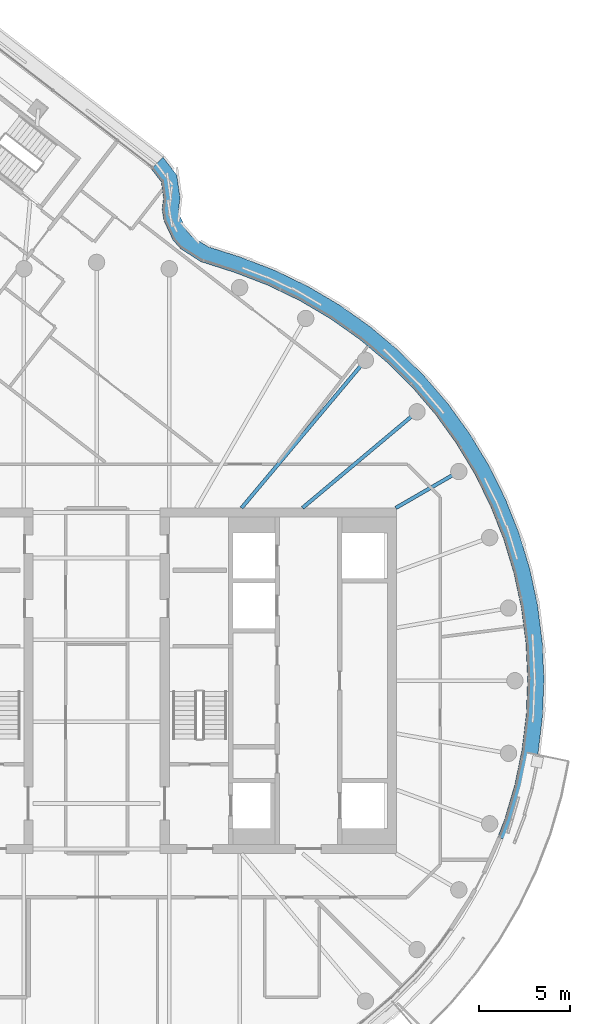
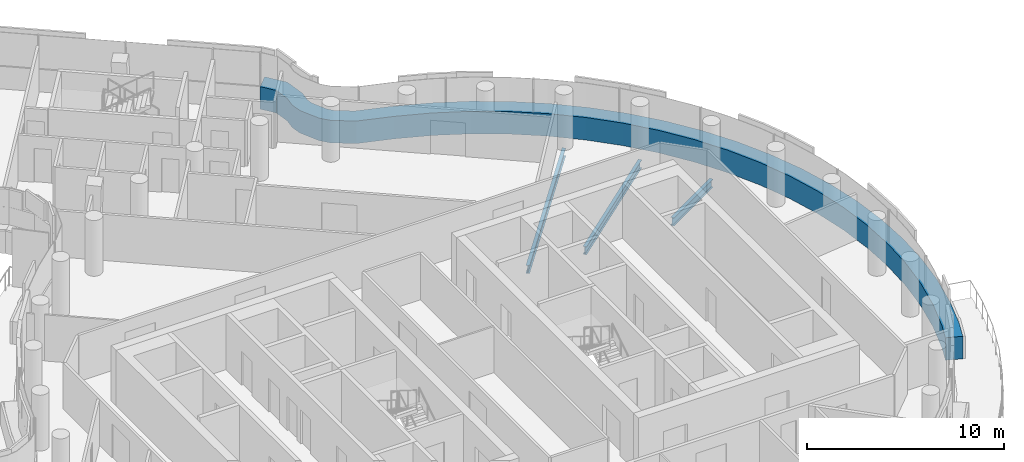
# One storey, part 12 of 26: 3 beams, 1 member, 1 element without a shape of its own.
"""IFC4 building model written with IfcOpenShell, lengths in metres."""

import ifcopenshell
import ifcopenshell.guid

model = None  # the IFC model being written
_history = None  # IfcOwnerHistory: only IFC2X3 demands one
_inside = {}  # id of a spatial element -> (the spatial element, [elements in it])
_under = {}  # id of a project, library or spatial element -> (it, [spatial elements below it])
_declared = {}  # id of a project -> (the project, [libraries it declares])
_typed = {}  # id of a type object -> (the type object, [elements of that type])
_made_of = {}  # id of a material, layer set ... -> (it, [elements and type objects made of it])


def new_model(schema):
    """Start an empty IFC model of exactly this schema.

    Asked for "IFC4X3", IfcOpenShell would pick the latest addendum, in which some entities
    have other attributes; the version numbers below select the first issue.
    IFC2X3 requires an IfcOwnerHistory on every rooted entity: one is made here for all.
    """
    global model, _history
    if schema == "IFC4X3":
        model = ifcopenshell.file(schema_version=(4, 3, 0, 0))
    else:
        model = ifcopenshell.file(schema=schema)
    _inside.clear()
    _under.clear()
    _declared.clear()
    _typed.clear()
    _made_of.clear()
    _history = None
    if model.schema == "IFC2X3":
        org = make("IfcOrganization", Name="unknown")
        user = make(
            "IfcPersonAndOrganization",
            ThePerson=make("IfcPerson", FamilyName="unknown"),
            TheOrganization=org,
        )
        app = make(
            "IfcApplication",
            ApplicationDeveloper=org,
            Version="unknown",
            ApplicationFullName="unknown",
            ApplicationIdentifier="unknown",
        )
        _history = make(
            "IfcOwnerHistory",
            OwningUser=user,
            OwningApplication=app,
            ChangeAction="ADDED",
            CreationDate=0,
        )
    return model


def make(cls, **values):
    """One entity of the class cls with the attributes given. An attribute that is None is left unset."""
    return model.create_entity(
        cls, **{name: value for name, value in values.items() if value is not None}
    )


def rooted(cls, **values):
    """An entity with a GlobalId (a new one), such as an element, a storey or a relation."""
    return make(cls, GlobalId=ifcopenshell.guid.new(), OwnerHistory=_history, **values)


def si_unit(unit_type, name, prefix=None):
    """IfcSIUnit, for example si_unit("LENGTHUNIT", "METRE", prefix="MILLI")."""
    return make("IfcSIUnit", UnitType=unit_type, Prefix=prefix, Name=name)


def assignment(units):
    """IfcUnitAssignment: the units of a project."""
    return None if units is None else make("IfcUnitAssignment", Units=units)


def point(xyz):
    """IfcCartesianPoint."""
    return None if xyz is None else make("IfcCartesianPoint", Coordinates=xyz)


def direction(xyz):
    """IfcDirection."""
    return None if xyz is None else make("IfcDirection", DirectionRatios=xyz)


def frame(location, z_axis=None, x_axis=None):
    """IfcAxis2Placement3D, a coordinate frame: its origin and axes. An axis left out is left unset."""
    return make(
        "IfcAxis2Placement3D",
        Location=point(location),
        Axis=direction(z_axis),
        RefDirection=direction(x_axis),
    )


def frame_2d(location, x_axis=None):
    """IfcAxis2Placement2D, a coordinate frame in the plane: its origin and x axis."""
    return make(
        "IfcAxis2Placement2D", Location=point(location), RefDirection=direction(x_axis)
    )


def origin():
    """The frame at (0, 0, 0) with its axes left unset."""
    return frame((0.0, 0.0, 0.0))


def origin_2d():
    """The frame at (0, 0) in the plane with its x axis left unset."""
    return frame_2d((0.0, 0.0))


def place(relative_to, where):
    """IfcLocalPlacement: puts the frame where relative to a parent placement (None: the world)."""
    return make(
        "IfcLocalPlacement", PlacementRelTo=relative_to, RelativePlacement=where
    )


def context(
    kind, dimensions, precision=None, world=None, true_north=None, identifier=None
):
    """IfcGeometricRepresentationContext, for example the 3D "Model" context."""
    return make(
        "IfcGeometricRepresentationContext",
        ContextIdentifier=identifier,
        ContextType=kind,
        CoordinateSpaceDimension=dimensions,
        Precision=precision,
        WorldCoordinateSystem=world,
        TrueNorth=true_north,
    )


def subcontext(parent, identifier, kind, view, scale=None):
    """IfcGeometricRepresentationSubContext, for example "Body" below "Model"."""
    return make(
        "IfcGeometricRepresentationSubContext",
        ContextIdentifier=identifier,
        ContextType=kind,
        ParentContext=parent,
        TargetScale=scale,
        TargetView=view,
    )


def project(units=None, contexts=None):
    """IfcProject with its units and contexts."""
    return rooted(
        "IfcProject",
        Name="project",
        RepresentationContexts=contexts,
        UnitsInContext=assignment(units),
    )


def spatial(cls, under=None, at=None, **own):
    """A site, building, storey or space (cls), placed at a placement, below another one or the project."""
    s = rooted(cls, ObjectPlacement=at, **own)
    if under is not None:
        _under.setdefault(under.id(), (under, []))[1].append(s)
    return s


def polyline(points):
    """IfcPolyline through the points."""
    return make("IfcPolyline", Points=[point(p) for p in points])


def profile(cls, at=None, kind="AREA", **sizes):
    """A parametric profile (cls). Its sizes go by their IFC names, for example OverallWidth=200.0."""
    return make(cls, ProfileType=kind, Position=at, **sizes)


def i_section(**sizes):
    """IfcIShapeProfileDef."""
    return profile("IfcIShapeProfileDef", **sizes)


def outline(outer, holes=None, kind="AREA"):
    """IfcArbitraryClosedProfileDef: a profile drawn as a closed curve; with holes, ...WithVoids."""
    if holes is None:
        return make("IfcArbitraryClosedProfileDef", ProfileType=kind, OuterCurve=outer)
    return make(
        "IfcArbitraryProfileDefWithVoids",
        ProfileType=kind,
        OuterCurve=outer,
        InnerCurves=holes,
    )


def extrude(swept, where, along, depth):
    """IfcExtrudedAreaSolid: the profile swept, set in the frame where, extruded along a direction by depth."""
    return make(
        "IfcExtrudedAreaSolid",
        SweptArea=swept,
        Position=where,
        ExtrudedDirection=direction(along),
        Depth=depth,
    )


def shape(context_of_items, identifier, shape_type, items):
    """IfcShapeRepresentation: the items that make up one representation, for example the "Body"."""
    return make(
        "IfcShapeRepresentation",
        ContextOfItems=context_of_items,
        RepresentationIdentifier=identifier,
        RepresentationType=shape_type,
        Items=items,
    )


def material(Name=None, Category=None):
    """IfcMaterial."""
    return make("IfcMaterial", Name=Name, Category=Category)


def layer(
    of_material, thickness, ventilated=None, Name=None, Category=None, Priority=None
):
    """IfcMaterialLayer: one layer of a wall or slab, of a material (None: an air gap)."""
    return make(
        "IfcMaterialLayer",
        Material=of_material,
        LayerThickness=thickness,
        IsVentilated=ventilated,
        Name=Name,
        Category=Category,
        Priority=Priority,
    )


def layer_set(layers, Name=None):
    """IfcMaterialLayerSet."""
    return make("IfcMaterialLayerSet", MaterialLayers=layers, LayerSetName=Name)


def material_profile(
    of_material, cross_section, Name=None, Category=None, Priority=None
):
    """IfcMaterialProfile: a cross section and its material."""
    return make(
        "IfcMaterialProfile",
        Name=Name,
        Material=of_material,
        Profile=cross_section,
        Priority=Priority,
        Category=Category,
    )


def profile_set(profiles, Name=None, composite=None):
    """IfcMaterialProfileSet."""
    return make(
        "IfcMaterialProfileSet",
        Name=Name,
        MaterialProfiles=profiles,
        CompositeProfile=composite,
    )


def made_of(thing, what):
    """Note that an element or type object is made of a material, layer set ...; save() writes the relation."""
    if what is not None:
        _made_of.setdefault(what.id(), (what, []))[1].append(thing)
    return thing


def type_object(cls, material=None, **own):
    """A type object (cls), such as IfcWallType, which elements share."""
    return made_of(rooted(cls, **own), material)


def element(
    cls,
    number,
    at=None,
    inside=None,
    cuts=None,
    type_object=None,
    material=None,
    context=None,
    identifier="Body",
    shape_type=None,
    held_by="IfcProductDefinitionShape",
    body=None,
    shapes=None,
    **own,
):
    """One element of the class cls, such as IfcWall. Its Tag is "e" and its number.

    at: its placement. inside: the storey or other place that contains it. cuts: it is an
    opening in that element (IfcRelVoidsElement). A single representation is given by context,
    identifier, shape_type and body (its items); several are given by shapes. held_by: the class
    of the entity that holds the representations. save() writes the other relations.
    """
    e = rooted(cls, Tag="e%d" % number, ObjectPlacement=at, **own)
    if body is not None:
        shapes = [shape(context, identifier, shape_type, body)]
    if shapes is not None:
        e.Representation = make(held_by, Representations=shapes)
    if inside is not None:
        _inside.setdefault(inside.id(), (inside, []))[1].append(e)
    if cuts is not None:
        rooted(
            "IfcRelVoidsElement", RelatingBuildingElement=cuts, RelatedOpeningElement=e
        )
    if type_object is not None:
        _typed.setdefault(type_object.id(), (type_object, []))[1].append(e)
    return made_of(e, material)


def aggregate(whole, parts):
    """IfcRelAggregates: a whole, such as a stair, and the parts it consists of."""
    return rooted("IfcRelAggregates", RelatingObject=whole, RelatedObjects=parts)


def save(model, path):
    """Write the relations noted so far, then the file.

    IfcRelAggregates (storeys below a building ...), IfcRelContainedInSpatialStructure (elements
    in a storey), IfcRelDefinesByType, IfcRelAssociatesMaterial and IfcRelDeclares: one each for
    every whole, place, type object, material and project.
    """
    for whole, parts in _under.values():
        aggregate(whole, parts)
    for where, things in _inside.values():
        rooted(
            "IfcRelContainedInSpatialStructure",
            RelatedElements=things,
            RelatingStructure=where,
        )
    for kind, things in _typed.values():
        rooted("IfcRelDefinesByType", RelatedObjects=things, RelatingType=kind)
    for what, things in _made_of.values():
        rooted("IfcRelAssociatesMaterial", RelatedObjects=things, RelatingMaterial=what)
    for by, libraries in _declared.values():
        rooted("IfcRelDeclares", RelatingContext=by, RelatedDefinitions=libraries)
    model.write(path)


model = new_model("IFC4")

# Units and contexts
model_context = context("Model", 3, precision=1e-05, world=origin(), true_north=direction((0.0, 1.0)))
body_context = subcontext(model_context, "Body", "Model", "MODEL_VIEW")
ifc_project = project(units=[si_unit("LENGTHUNIT", "METRE"), si_unit("AREAUNIT", "SQUARE_METRE"), si_unit("VOLUMEUNIT", "CUBIC_METRE"), si_unit("PLANEANGLEUNIT", "RADIAN"), si_unit("MASSUNIT", "GRAM", prefix="KILO")], contexts=[model_context])

# Site, building, storey
site_placement = place(None, origin())
site = spatial("IfcSite", under=ifc_project, at=site_placement, CompositionType="ELEMENT")
building_placement = place(site_placement, origin())
building = spatial("IfcBuilding", under=site, at=building_placement, Name="Tamarind Cross Interchange Tower", CompositionType="ELEMENT")
storey_placement = place(building_placement, frame((0.0, 0.0, 223.5)))
storey = spatial("IfcBuildingStorey", under=building, at=storey_placement, Name="L56", CompositionType="ELEMENT", Elevation=223.5)

# Beams
ifc_material_1 = material(Name="Steel Q355B", Category="steel")
ifc_material_profile = material_profile(ifc_material_1, i_section(OverallWidth=0.198974609375, OverallDepth=0.49609375, WebThickness=0.009033203125, FlangeThickness=0.013916015625, FilletRadius=0.012939453125, at=origin_2d()), Name="HN 496x199x9x14")
ifc_profile_set = profile_set([ifc_material_profile], Name="Steel Q355B")
beam_type = type_object("IfcBeamType", Name="Composite beam HN 496x199x9x14 Q355B", PredefinedType="BEAM", material=ifc_profile_set)
beam_1_placement = place(storey_placement, frame((19.918701171875, 11.5, -0.387939453125), z_axis=(-0.866026010844, -0.49999894854, 0.0), x_axis=(0.49999894854, -0.866026010844, 0.0)))
element("IfcBeam", 1, at=beam_1_placement, inside=storey, type_object=beam_type, Name="Beam HH03", PredefinedType="BEAM", context=body_context, shape_type="SweptSolid", body=[
    extrude(i_section(OverallWidth=0.198974609375, OverallDepth=0.49609375, WebThickness=0.009033203125, FlangeThickness=0.013916015625, FilletRadius=0.012939453125, at=origin_2d()), origin(), (0.0, 0.0, 1.0), 4.0),
])
beam_2_placement = place(storey_placement, frame((17.619140625, 14.7841796875, -0.387939453125), z_axis=(-0.766040580814, -0.642792212574, 0.0), x_axis=(0.642792212574, -0.766040580814, 0.0)))
element("IfcBeam", 2, at=beam_2_placement, inside=storey, type_object=beam_type, Name="Beam HH04", PredefinedType="BEAM", context=body_context, shape_type="SweptSolid", body=[
    extrude(i_section(OverallWidth=0.198974609375, OverallDepth=0.49609375, WebThickness=0.009033203125, FlangeThickness=0.013916015625, FilletRadius=0.012939453125, at=origin_2d()), origin(), (0.0, 0.0, 1.0), 8.220703125),
])
beam_3_placement = place(storey_placement, frame((14.7841796875, 17.619140625, -0.387939453125), z_axis=(-0.642786293979, -0.766045547127, 0.0), x_axis=(0.766045547127, -0.642786293979, 0.0)))
element("IfcBeam", 3, at=beam_3_placement, inside=storey, type_object=beam_type, Name="Beam HH05", PredefinedType="BEAM", context=body_context, shape_type="SweptSolid", body=[
    extrude(i_section(OverallWidth=0.198974609375, OverallDepth=0.49609375, WebThickness=0.009033203125, FlangeThickness=0.013916015625, FilletRadius=0.012939453125, at=origin_2d()), origin(), (0.0, 0.0, 1.0), 10.598876953125),
])

# Curtain wall, member
ifc_material_2 = material(Name="Aluminium 6063-T6", Category="aluminium")
ifc_layer = layer(ifc_material_2, 0.139892578125)
ifc_layer_set = layer_set([ifc_layer], Name="Aluminium 6063-T6")
curtain_wall_type = type_object("IfcCurtainWallType", Name="Hotel curtain wall, 4.5 m bays", PredefinedType="NOTDEFINED", material=ifc_layer_set)
curtain_wall_placement = place(storey_placement, origin())
curtain_wall = element("IfcCurtainWall", 4, at=curtain_wall_placement, inside=storey, type_object=curtain_wall_type, Name="CWS-L56-02", PredefinedType="NOTDEFINED")
ifc_material_3 = material(Name="Aluminium and insulated spandrel panel", Category="aluminium")
member_type = type_object("IfcMemberType", Name="Floor-edge blade transom", PredefinedType="USERDEFINED", material=ifc_material_3)
member_placement = place(storey_placement, origin())
member = element("IfcMember", 5, at=member_placement, type_object=member_type, Name="CWT-L56-02-1", ObjectType="TRANSOM", PredefinedType="USERDEFINED", context=body_context, shape_type="SweptSolid", body=[
    extrude(outline(polyline([(22.0625, -8.58935546875), (22.444580078125, -7.597412109375), (22.995361328125, -5.718017578125), (23.38916015625, -3.799560546875), (23.623046875, -1.855224609375), (23.695556640625, 0.10205078125), (23.606201171875, 2.058349609375), (23.35546875, 4.000732421875), (22.9453125, 5.915771484375), (22.37841796875, 7.790283203125), (21.65869140625, 9.61181640625), (20.791015625, 11.367431640625), (19.78125, 13.045654296875), (18.636474609375, 14.634521484375), (17.3642578125, 16.12353515625), (15.973388671875, 17.50244140625), (14.4736328125, 18.76171875), (12.874755859375, 19.892822265625), (11.188232421875, 20.88818359375), (9.425048828125, 21.74072265625), (7.593994140625, 22.446044921875), (5.73095703125, 23.041748046875), (4.6220703125, 23.751220703125), (4.20849609375, 24.220947265625), (3.704345703125, 25.28564453125), (3.603271484375, 25.9033203125), (3.678466796875, 26.54150390625), (3.55322265625, 27.432861328125), (3.005126953125, 28.14697265625), (3.6484375, 28.787353515625), (4.411376953125, 27.79296875), (4.5859375, 26.5517578125), (4.511962890625, 25.923828125), (4.572021484375, 25.55615234375), (4.9677734375, 24.720458984375), (5.2138671875, 24.44091796875), (6.116943359375, 23.863037109375), (7.89306640625, 23.295166015625), (9.783203125, 22.567138671875), (11.613525390625, 21.68212890625), (13.3642578125, 20.64892578125), (15.023681640625, 19.474853515625), (16.580810546875, 18.167724609375), (18.0244140625, 16.736572265625), (19.344970703125, 15.19091796875), (20.533203125, 13.54150390625), (21.581298828125, 11.799560546875), (22.482177734375, 9.97705078125), (23.229248046875, 8.08642578125), (23.817626953125, 6.140625), (24.243408203125, 4.15283203125), (24.50341796875, 2.13671875), (24.59619140625, 0.10595703125), (24.52099609375, -1.925537109375), (24.2783203125, -3.944091796875), (23.86962890625, -5.935302734375), (23.2978515625, -7.88623046875), (22.9013671875, -8.915771484375), (22.0625, -8.58935546875)])), origin(), (0.0, 0.0, 1.0), 1.39990234375),
])
aggregate(curtain_wall, [member])

save(model, "model.ifc")
